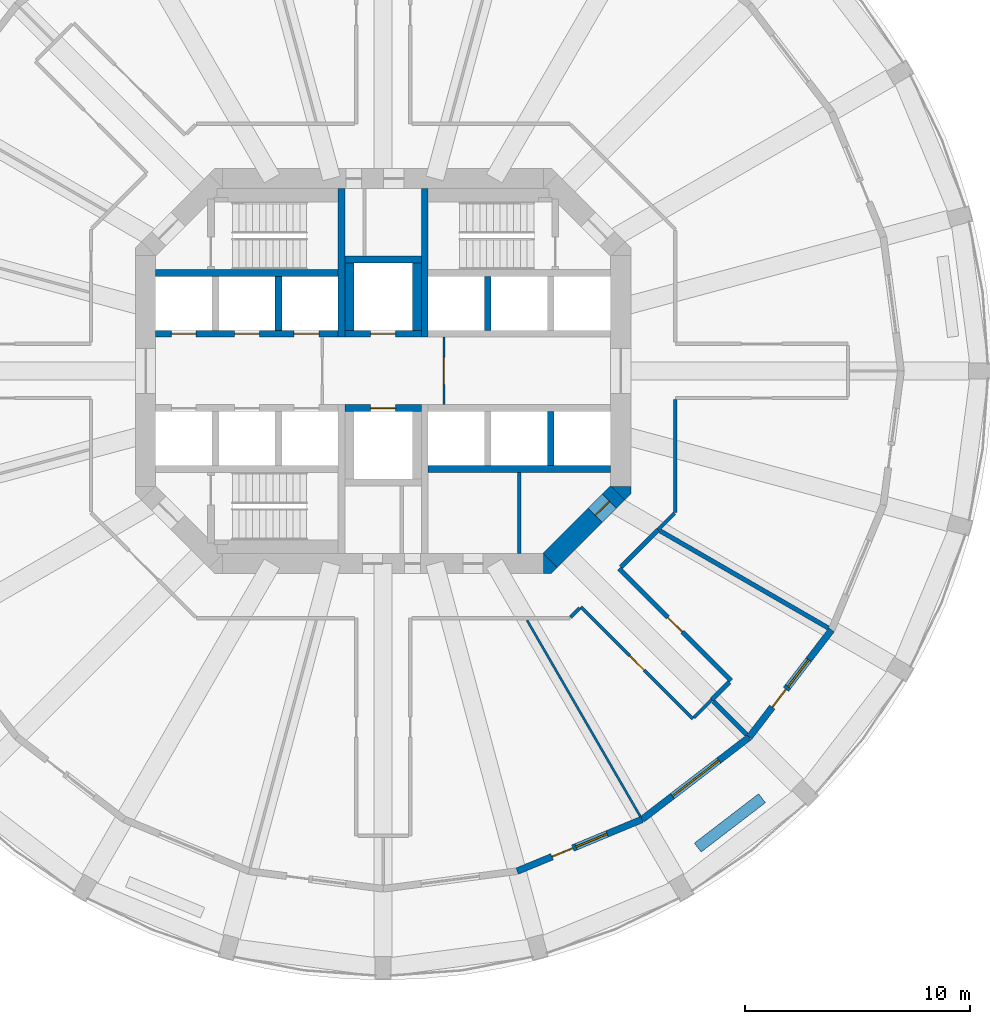
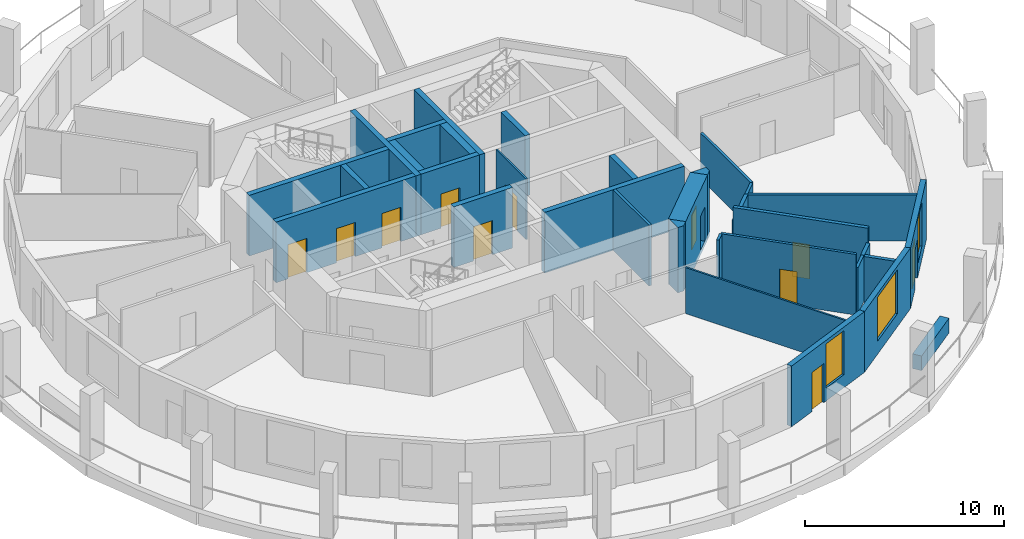
# One storey, part 4 of 9: 33 walls, 11 doors, 3 windows, 14 openings.
"""IFC4 building model written with IfcOpenShell, lengths in metres."""

from ifc_helpers import new_model, si_unit, direction, frame, frame_2d, origin, place, context, subcontext, project, spatial, polyline, rectangle, outline, extrude, material, layer, layer_set, type_object, element, fill, save


model = new_model("IFC4")

# Units and contexts
model_context = context("Model", 3, precision=1e-05, world=origin(), true_north=direction((0.0, 1.0)))
body_context = subcontext(model_context, "Body", "Model", "MODEL_VIEW")
ifc_project = project(units=[si_unit("LENGTHUNIT", "METRE"), si_unit("AREAUNIT", "SQUARE_METRE"), si_unit("VOLUMEUNIT", "CUBIC_METRE"), si_unit("PLANEANGLEUNIT", "RADIAN"), si_unit("MASSUNIT", "GRAM", prefix="KILO")], contexts=[model_context])

# Site, building, storey
site_placement = place(None, origin())
site = spatial("IfcSite", under=ifc_project, at=site_placement, CompositionType="ELEMENT")
building_placement = place(site_placement, origin())
building = spatial("IfcBuilding", under=site, at=building_placement, Name="Torre Triforio", CompositionType="ELEMENT")
storey_placement = place(building_placement, frame((0.0, 0.0, 31.0)))
storey = spatial("IfcBuildingStorey", under=building, at=storey_placement, Name="L05", CompositionType="ELEMENT", Elevation=31.0)

# Walls
ifc_material_1 = material(Name="Concrete C60", Category="concrete")
ifc_layer_1 = layer(ifc_material_1, 0.300048828125)
ifc_layer_set_1 = layer_set([ifc_layer_1], Name="Concrete C60")
wall_type_1 = type_object("IfcWallType", Name="Core wall 300 mm C60 EI 120", PredefinedType="SHEAR", material=ifc_layer_set_1)
for number, where, z_axis, x_axis, name in (
    (1, (-1.85009765625, 1.5, 0.0), (0.0, 0.0, 1.0), (0.0, 1.0, 0.0), "Core wall"),
    (2, (1.85009765625, 1.5, 0.0), (0.0, 0.0, 1.0), (0.0, 1.0, 0.0), "Core wall"),
):
    element("IfcWall", number, at=place(storey_placement, frame(where, z_axis=z_axis, x_axis=x_axis)), inside=storey, type_object=wall_type_1, Name=name, PredefinedType="SHEAR", context=body_context, shape_type="SweptSolid", body=[
        extrude(rectangle(XDim=6.60009765625, YDim=0.300048828125, at=frame_2d((3.300048828125, 0.0))), origin(), (0.0, 0.0, 1.0), 3.719970703125),
    ])

# Wall, opening, door
ifc_layer_2 = layer(ifc_material_1, 0.89990234375)
ifc_layer_set_2 = layer_set([ifc_layer_2], Name="Concrete C60")
wall_type_2 = type_object("IfcWallType", Name="Core wall 900 mm C60 EI 120", PredefinedType="SHEAR", material=ifc_layer_set_2)
wall_1_placement = place(storey_placement, frame((10.418212890625, -5.418212890625, -0.280029296875), z_axis=(0.0, 0.0, 1.0), x_axis=(-0.707106781187, -0.707106781187, 0.0)))
wall_1 = element("IfcWall", 3, at=wall_1_placement, inside=storey, type_object=wall_type_2, Name="Core wall", PredefinedType="SHEAR", context=body_context, shape_type="SweptSolid", body=[
    extrude(rectangle(XDim=4.24267578125, YDim=0.89990234375, at=frame_2d((2.121337890625, 0.0))), origin(), (0.0, 0.0, 1.0), 4.0),
])
opening_1_placement = place(wall_1_placement, frame((0.52001953125, 0.0, 0.280029296875)))
opening_1 = element("IfcOpeningElement", 4, at=opening_1_placement, cuts=wall_1, Name="Opening SE-02", PredefinedType="OPENING", context=body_context, shape_type="SweptSolid", body=[
    extrude(rectangle(XDim=0.89990234375, YDim=2.10009765625, at=frame_2d((0.449951171875, 1.050048828125))), frame((0.0, 0.4599609375, 0.0), z_axis=(0.0, -1.0, 0.0), x_axis=(1.0, 0.0, 0.0)), (0.0, 0.0, 1.0), 0.919921875),
])
ifc_material_2 = material(Name="Hollow metal fire door leaf")
door_type_1 = type_object("IfcDoorType", Name="Room door 900 x 2100 EI 60", OperationType="NOTDEFINED", PredefinedType="DOOR", material=ifc_material_2)
door_1_placement = place(opening_1_placement, origin())
door_1 = element("IfcDoor", 5, at=door_1_placement, inside=storey, type_object=door_type_1, Name="Core door SE-02", OperationType="SINGLE_SWING_RIGHT", OverallHeight=2.10009765625, OverallWidth=0.89990234375, PredefinedType="DOOR", context=body_context, shape_type="SweptSolid", body=[
    extrude(rectangle(XDim=0.89990234375, YDim=2.10009765625, at=frame_2d((0.449951171875, 1.050048828125))), frame((0.0, 0.02490234375, 0.0), z_axis=(0.0, -1.0, 0.0), x_axis=(1.0, 0.0, 0.0)), (0.0, 0.0, 1.0), 0.050048828125),
])
fill(opening_1, door_1)

# Walls
wall_2_placement = place(storey_placement, frame((0.0, 0.0, -0.280029296875)))
element("IfcWall", 6, at=wall_2_placement, inside=storey, type_object=wall_type_2, Name="Core wall", PredefinedType="SHEAR", context=body_context, shape_type="SweptSolid", body=[
    extrude(outline(polyline([(7.472900390625, -9.0), (7.1298828125, -9.0), (7.1298828125, -8.1298828125), (7.736328125, -8.736328125), (7.472900390625, -9.0)])), origin(), (0.0, 0.0, 1.0), 4.0),
])
wall_3_placement = place(storey_placement, frame((0.0, 0.0, -0.280029296875)))
element("IfcWall", 7, at=wall_3_placement, inside=storey, type_object=wall_type_2, Name="Core wall", PredefinedType="SHEAR", context=body_context, shape_type="SweptSolid", body=[
    extrude(outline(polyline([(11.0, -5.472900390625), (10.736328125, -5.736328125), (10.1298828125, -5.1298828125), (11.0, -5.1298828125), (11.0, -5.472900390625)])), origin(), (0.0, 0.0, 1.0), 4.0),
])
ifc_material_3 = material(Name="Plasterboard on metal studs")
ifc_layer_3 = layer(ifc_material_3, 0.14990234375)
ifc_layer_set_3 = layer_set([ifc_layer_3], Name="Plasterboard on metal studs")
wall_type_3 = type_object("IfcWallType", Name="Corridor and tenancy wall 150 mm EI 60", PredefinedType="PARTITIONING", material=ifc_layer_set_3)
wall_4_placement = place(storey_placement, frame((14.600830078125, -14.600830078125, 0.0), z_axis=(0.0, 0.0, 1.0), x_axis=(-0.707106781187, -0.707106781187, 0.0)))
element("IfcWall", 8, at=wall_4_placement, inside=storey, type_object=wall_type_3, Name="Partition 2", PredefinedType="PARTITIONING", context=body_context, shape_type="SweptSolid", body=[
    extrude(rectangle(XDim=1.125, YDim=0.14990234375, at=frame_2d((0.5625, 0.0))), origin(), (0.0, 0.0, 1.0), 2.820068359375),
])

# Wall, opening, door
wall_5_placement = place(storey_placement, frame((13.752197265625, -15.449462890625, 0.0), z_axis=(0.0, 0.0, 1.0), x_axis=(-0.707089406061, 0.707124155885, 0.0)))
wall_5 = element("IfcWall", 9, at=wall_5_placement, inside=storey, type_object=wall_type_3, Name="Partition 3", PredefinedType="PARTITIONING", context=body_context, shape_type="SweptSolid", body=[
    extrude(rectangle(XDim=7.025634765625, YDim=0.14990234375, at=frame_2d((3.5126953125, 0.0))), origin(), (0.0, 0.0, 1.0), 3.719970703125),
])
opening_2_placement = place(wall_5_placement, frame((3.062744140625, 0.0, 0.0)))
opening_2 = element("IfcOpeningElement", 10, at=opening_2_placement, cuts=wall_5, Name="Opening N1-12", PredefinedType="OPENING", context=body_context, shape_type="SweptSolid", body=[
    extrude(rectangle(XDim=0.89990234375, YDim=2.10009765625, at=frame_2d((0.449951171875, 1.050048828125))), frame((0.0, 0.0849609375, 0.0), z_axis=(0.0, -1.0, 0.0), x_axis=(1.0, 0.0, 0.0)), (0.0, 0.0, 1.0), 0.169921875),
])
ifc_material_4 = material(Name="Timber", Category="wood")
door_type_2 = type_object("IfcDoorType", Name="Door 900 x 2100 single leaf EI 30", OperationType="NOTDEFINED", PredefinedType="DOOR", material=ifc_material_4)
door_2_placement = place(opening_2_placement, origin())
door_2 = element("IfcDoor", 11, at=door_2_placement, inside=storey, type_object=door_type_2, Name="Door N1-12", OperationType="SINGLE_SWING_LEFT", OverallHeight=2.10009765625, OverallWidth=0.89990234375, PredefinedType="DOOR", context=body_context, shape_type="SweptSolid", body=[
    extrude(rectangle(XDim=0.89990234375, YDim=2.10009765625, at=frame_2d((0.449951171875, 1.050048828125))), frame((0.0, 0.02490234375, 0.0), z_axis=(0.0, -1.0, 0.0), x_axis=(1.0, 0.0, 0.0)), (0.0, 0.0, 1.0), 0.050048828125),
])
fill(opening_2, door_2)

# Walls
wall_6_placement = place(storey_placement, frame((8.7314453125, -10.534423828125, 0.0), z_axis=(0.0, 0.0, 1.0), x_axis=(-0.707106781187, -0.707106781187, 0.0)))
element("IfcWall", 12, at=wall_6_placement, inside=storey, type_object=wall_type_3, Name="Partition 4", PredefinedType="PARTITIONING", context=body_context, shape_type="SweptSolid", body=[
    extrude(rectangle(XDim=0.57080078125, YDim=0.14990234375, at=frame_2d((0.285400390625, 0.0))), origin(), (0.0, 0.0, 1.0), 3.719970703125),
])
wall_7_placement = place(storey_placement, frame((12.97509765625, -1.27490234375, 0.0), z_axis=(0.0, 0.0, 1.0), x_axis=(0.0, -1.0, 0.0)))
element("IfcWall", 13, at=wall_7_placement, inside=storey, type_object=wall_type_3, Name="Partition 31", PredefinedType="PARTITIONING", context=body_context, shape_type="SweptSolid", body=[
    extrude(rectangle(XDim=5.01611328125, YDim=0.14990234375, at=frame_2d((2.508056640625, 0.0))), origin(), (0.0, 0.0, 1.0), 2.820068359375),
])
wall_8_placement = place(storey_placement, frame((12.93798828125, -6.327880859375, 0.0), z_axis=(0.0, 0.0, 1.0), x_axis=(-0.707106781187, -0.707106781187, 0.0)))
element("IfcWall", 14, at=wall_8_placement, inside=storey, type_object=wall_type_3, Name="Partition 32", PredefinedType="PARTITIONING", context=body_context, shape_type="SweptSolid", body=[
    extrude(rectangle(XDim=1.023681640625, YDim=0.14990234375, at=frame_2d((0.51171875, 0.0))), origin(), (0.0, 0.0, 1.0), 2.820068359375),
])

# Wall, opening, door
ifc_material_5 = material(Name="Block and board partition")
ifc_layer_4 = layer(ifc_material_5, 0.10009765625)
ifc_layer_set_4 = layer_set([ifc_layer_4], Name="Block and board partition")
wall_type_4 = type_object("IfcWallType", Name="Partition 100 mm EI 120", PredefinedType="PARTITIONING", material=ifc_layer_set_4)
wall_9_placement = place(storey_placement, frame((2.699951171875, -1.5, 0.0), z_axis=(0.0, 0.0, 1.0), x_axis=(0.0, 1.0, 0.0)))
wall_9 = element("IfcWall", 15, at=wall_9_placement, inside=storey, type_object=wall_type_4, Name="Partition", PredefinedType="PARTITIONING", context=body_context, shape_type="SweptSolid", body=[
    extrude(rectangle(XDim=3.0, YDim=0.10009765625, at=frame_2d((1.5, 0.0))), origin(), (0.0, 0.0, 1.0), 3.719970703125),
])
opening_3_placement = place(wall_9_placement, frame((0.89990234375, 0.0, 0.0)))
opening_3 = element("IfcOpeningElement", 16, at=opening_3_placement, cuts=wall_9, Name="Opening FF-E", PredefinedType="OPENING", context=body_context, shape_type="SweptSolid", body=[
    extrude(rectangle(XDim=1.199951171875, YDim=2.10009765625, at=frame_2d((0.60009765625, 1.050048828125))), frame((0.0, 0.06005859375, 0.0), z_axis=(0.0, -1.0, 0.0), x_axis=(1.0, 0.0, 0.0)), (0.0, 0.0, 1.0), 0.1201171875),
])
door_type_3 = type_object("IfcDoorType", Name="Fire-fighting lobby door 1200 x 2100 EI 60", OperationType="NOTDEFINED", PredefinedType="DOOR", material=ifc_material_2)
door_3_placement = place(opening_3_placement, origin())
door_3 = element("IfcDoor", 17, at=door_3_placement, inside=storey, type_object=door_type_3, Name="Core door FF-E", OperationType="SINGLE_SWING_LEFT", OverallHeight=2.10009765625, OverallWidth=1.199951171875, PredefinedType="DOOR", context=body_context, shape_type="SweptSolid", body=[
    extrude(rectangle(XDim=1.199951171875, YDim=2.10009765625, at=frame_2d((0.60009765625, 1.050048828125))), frame((0.0, 0.02490234375, 0.0), z_axis=(0.0, -1.0, 0.0), x_axis=(1.0, 0.0, 0.0)), (0.0, 0.0, 1.0), 0.050048828125),
])
fill(opening_3, door_3)

# Walls
ifc_layer_5 = layer(ifc_material_3, 0.10009765625)
ifc_layer_set_5 = layer_set([ifc_layer_5], Name="Plasterboard on metal studs")
wall_type_5 = type_object("IfcWallType", Name="Partition 100 mm board on metal studs", PredefinedType="PARTITIONING", material=ifc_layer_set_5)
wall_10_placement = place(storey_placement, frame((6.393798828125, -11.07470703125, 0.0), z_axis=(0.0, 0.0, 1.0), x_axis=(0.500024592647, -0.866011204747, 0.0)))
element("IfcWall", 18, at=wall_10_placement, inside=storey, type_object=wall_type_5, Name="Partition 46", PredefinedType="PARTITIONING", context=body_context, shape_type="SweptSolid", body=[
    extrude(rectangle(XDim=10.048828125, YDim=0.10009765625, at=frame_2d((5.0244140625, 0.0))), origin(), (0.0, 0.0, 1.0), 2.820068359375),
])
ifc_layer_6 = layer(ifc_material_5, 0.14990234375)
ifc_layer_set_6 = layer_set([ifc_layer_6], Name="Block and board partition")
wall_type_6 = type_object("IfcWallType", Name="Partition 150 mm", PredefinedType="PARTITIONING", material=ifc_layer_set_6)
wall_11_placement = place(storey_placement, frame((6.050048828125, -8.10009765625, 0.0), z_axis=(0.0, 0.0, 1.0), x_axis=(0.0, 1.0, 0.0)))
element("IfcWall", 19, at=wall_11_placement, inside=storey, type_object=wall_type_6, Name="Partition", PredefinedType="PARTITIONING", context=body_context, shape_type="SweptSolid", body=[
    extrude(rectangle(XDim=3.60009765625, YDim=0.14990234375, at=frame_2d((1.800048828125, 0.0))), origin(), (0.0, 0.0, 1.0), 3.719970703125),
])
ifc_material_6 = material(Name="Masonry block", Category="masonry")
ifc_layer_7 = layer(ifc_material_6, 0.199951171875)
ifc_layer_set_7 = layer_set([ifc_layer_7], Name="Masonry block")
wall_type_7 = type_object("IfcWallType", Name="Plant room wall 200 mm block EI 120", PredefinedType="PARTITIONING", material=ifc_layer_set_7)
wall_12_placement = place(storey_placement, frame((15.378662109375, -13.822998046875, 0.0), z_axis=(0.0, 0.0, 1.0), x_axis=(-0.707106781187, -0.707106781187, 0.0)))
element("IfcWall", 20, at=wall_12_placement, inside=storey, type_object=wall_type_7, Name="Partition 1", PredefinedType="PARTITIONING", context=body_context, shape_type="SweptSolid", body=[
    extrude(rectangle(XDim=1.10009765625, YDim=0.199951171875, at=frame_2d((0.550048828125, 0.0))), origin(), (0.0, 0.0, 1.0), 2.820068359375),
])
wall_13_placement = place(storey_placement, frame((12.214111328125, -7.0517578125, 0.0), z_axis=(0.0, 0.0, 1.0), x_axis=(-0.707106781187, -0.707106781187, 0.0)))
element("IfcWall", 21, at=wall_13_placement, inside=storey, type_object=wall_type_7, Name="Partition 33", PredefinedType="PARTITIONING", context=body_context, shape_type="SweptSolid", body=[
    extrude(rectangle(XDim=2.350341796875, YDim=0.199951171875, at=frame_2d((1.17529296875, 0.0))), origin(), (0.0, 0.0, 1.0), 2.820068359375),
])

# Wall, opening, door
wall_14_placement = place(storey_placement, frame((10.4814453125, -8.784423828125, 0.0), z_axis=(0.0, 0.0, 1.0), x_axis=(0.707124155885, -0.707089406061, 0.0)))
wall_14 = element("IfcWall", 22, at=wall_14_placement, inside=storey, type_object=wall_type_7, Name="Partition 34", PredefinedType="PARTITIONING", context=body_context, shape_type="SweptSolid", body=[
    extrude(rectangle(XDim=7.025634765625, YDim=0.199951171875, at=frame_2d((3.5126953125, 0.0))), origin(), (0.0, 0.0, 1.0), 3.719970703125),
])
opening_4_placement = place(wall_14_placement, frame((3.062744140625, 0.0, 0.0)))
opening_4 = element("IfcOpeningElement", 23, at=opening_4_placement, cuts=wall_14, Name="Opening N1-13", PredefinedType="OPENING", context=body_context, shape_type="SweptSolid", body=[
    extrude(rectangle(XDim=0.89990234375, YDim=2.10009765625, at=frame_2d((0.449951171875, 1.050048828125))), frame((0.0, 0.10986328125, 0.0), z_axis=(0.0, -1.0, 0.0), x_axis=(1.0, 0.0, 0.0)), (0.0, 0.0, 1.0), 0.219970703125),
])
door_type_4 = type_object("IfcDoorType", Name="Door 900 x 2100 single leaf EI 60", OperationType="NOTDEFINED", PredefinedType="DOOR", material=ifc_material_2)
door_4_placement = place(opening_4_placement, origin())
door_4 = element("IfcDoor", 24, at=door_4_placement, inside=storey, type_object=door_type_4, Name="Door N1-13", OperationType="SINGLE_SWING_RIGHT", OverallHeight=2.10009765625, OverallWidth=0.89990234375, PredefinedType="DOOR", context=body_context, shape_type="SweptSolid", body=[
    extrude(rectangle(XDim=0.89990234375, YDim=2.10009765625, at=frame_2d((0.449951171875, 1.050048828125))), frame((0.0, 0.02490234375, 0.0), z_axis=(0.0, -1.0, 0.0), x_axis=(1.0, 0.0, 0.0)), (0.0, 0.0, 1.0), 0.050048828125),
])
fill(opening_4, door_4)

# Walls
wall_15_placement = place(storey_placement, frame((14.671630859375, -14.671630859375, 0.0), z_axis=(0.0, 0.0, 1.0), x_axis=(0.707106781187, -0.707106781187, 0.0)))
element("IfcWall", 25, at=wall_15_placement, inside=storey, type_object=wall_type_7, Name="Partition 47", PredefinedType="PARTITIONING", context=body_context, shape_type="SweptSolid", body=[
    extrude(rectangle(XDim=2.087890625, YDim=0.199951171875, at=frame_2d((1.0439453125, 0.0))), origin(), (0.0, 0.0, 1.0), 2.820068359375),
])
wall_16_placement = place(storey_placement, frame((12.304931640625, -7.104248046875, 0.0), z_axis=(0.0, 0.0, 1.0), x_axis=(0.866017835858, -0.500013107804, 0.0)))
element("IfcWall", 26, at=wall_16_placement, inside=storey, type_object=wall_type_7, Name="Partition 48", PredefinedType="PARTITIONING", context=body_context, shape_type="SweptSolid", body=[
    extrude(rectangle(XDim=8.628173828125, YDim=0.199951171875, at=frame_2d((4.31396484375, 0.0))), origin(), (0.0, 0.0, 1.0), 2.820068359375),
])
ifc_material_7 = material(Name="Limestone cladding", Category="masonry")
ifc_layer_8 = layer(ifc_material_7, 0.10009765625)
ifc_material_8 = material(Name="Concrete C40", Category="concrete")
ifc_layer_9 = layer(ifc_material_8, 0.39990234375)
ifc_layer_set_8 = layer_set([ifc_layer_8, ifc_layer_9], Name="Limestone cladding / Concrete C40")
wall_type_8 = type_object("IfcWallType", Name="Planter wall 500", PredefinedType="PARAPET", material=ifc_layer_set_8)
wall_17_placement = place(storey_placement, frame((13.9736328125, -21.16748046875, 0.0), z_axis=(0.0, 0.0, 1.0), x_axis=(0.793359599829, 0.608753271334, 0.0)))
element("IfcWall", 27, at=wall_17_placement, inside=storey, type_object=wall_type_8, Name="Planter L05 bay 21", PredefinedType="PARAPET", context=body_context, shape_type="SweptSolid", body=[
    extrude(rectangle(XDim=3.599853515625, YDim=0.5, at=frame_2d((1.7998046875, 0.0))), origin(), (0.0, 0.0, 1.0), 0.89990234375),
])
ifc_layer_10 = layer(ifc_material_1, 0.300048828125)
ifc_layer_set_9 = layer_set([ifc_layer_10], Name="Concrete C60")
wall_type_9 = type_object("IfcWallType", Name="Shaft wall 300 mm C60 EI 120", PredefinedType="SOLIDWALL", material=ifc_layer_set_9)
for number, where, z_axis, x_axis, name in (
    (28, (-10.10009765625, 4.35009765625, 0.0), (0.0, 0.0, 1.0), (1.0, 0.0, 0.0), "Shaft wall"),
    (29, (2.0, -4.35009765625, 0.0), (0.0, 0.0, 1.0), (1.0, 0.0, 0.0), "Shaft wall"),
):
    element("IfcWall", number, at=place(storey_placement, frame(where, z_axis=z_axis, x_axis=x_axis)), inside=storey, type_object=wall_type_9, Name=name, PredefinedType="SOLIDWALL", context=body_context, shape_type="SweptSolid", body=[
        extrude(rectangle(XDim=8.10009765625, YDim=0.300048828125, at=frame_2d((4.050048828125, 0.0))), origin(), (0.0, 0.0, 1.0), 3.719970703125),
    ])

# Wall, openings, doors
wall_18_placement = place(storey_placement, frame((-10.10009765625, 1.64990234375, 0.0), z_axis=(0.0, 0.0, 1.0), x_axis=(1.0, 0.0, 0.0)))
wall_18 = element("IfcWall", 30, at=wall_18_placement, inside=storey, type_object=wall_type_9, Name="Shaft wall", PredefinedType="SOLIDWALL", context=body_context, shape_type="SweptSolid", body=[
    extrude(rectangle(XDim=8.10009765625, YDim=0.300048828125, at=frame_2d((4.050048828125, 0.0))), origin(), (0.0, 0.0, 1.0), 3.719970703125),
])
opening_5_placement = place(wall_18_placement, frame((0.699951171875, 0.0, 0.0)))
opening_5 = element("IfcOpeningElement", 31, at=opening_5_placement, cuts=wall_18, Name="Opening LD", PredefinedType="OPENING", context=body_context, shape_type="SweptSolid", body=[
    extrude(rectangle(XDim=1.10009765625, YDim=2.10009765625, at=frame_2d((0.550048828125, 1.050048828125))), frame((0.0, 0.159912109375, 0.0), z_axis=(0.0, -1.0, 0.0), x_axis=(1.0, 0.0, 0.0)), (0.0, 0.0, 1.0), 0.320068359375),
])
opening_6_placement = place(wall_18_placement, frame((3.5, 0.0, 0.0)))
opening_6 = element("IfcOpeningElement", 32, at=opening_6_placement, cuts=wall_18, Name="Opening LD", PredefinedType="OPENING", context=body_context, shape_type="SweptSolid", body=[
    extrude(rectangle(XDim=1.10009765625, YDim=2.10009765625, at=frame_2d((0.550048828125, 1.050048828125))), frame((0.0, 0.159912109375, 0.0), z_axis=(0.0, -1.0, 0.0), x_axis=(1.0, 0.0, 0.0)), (0.0, 0.0, 1.0), 0.320068359375),
])
opening_7_placement = place(wall_18_placement, frame((6.14990234375, 0.0, 0.0)))
opening_7 = element("IfcOpeningElement", 33, at=opening_7_placement, cuts=wall_18, Name="Opening LD", PredefinedType="OPENING", context=body_context, shape_type="SweptSolid", body=[
    extrude(rectangle(XDim=1.10009765625, YDim=2.10009765625, at=frame_2d((0.550048828125, 1.050048828125))), frame((0.0, 0.159912109375, 0.0), z_axis=(0.0, -1.0, 0.0), x_axis=(1.0, 0.0, 0.0)), (0.0, 0.0, 1.0), 0.320068359375),
])
door_type_5 = type_object("IfcDoorType", Name="Landing door 1100 x 2100 EI 60", OperationType="DOUBLE_DOOR_SLIDING", PredefinedType="DOOR", material=ifc_material_2)
door_5_placement = place(opening_5_placement, origin())
door_5 = element("IfcDoor", 34, at=door_5_placement, inside=storey, type_object=door_type_5, Name="Landing door LR1", OperationType="DOUBLE_DOOR_SLIDING", OverallHeight=2.10009765625, OverallWidth=1.10009765625, PredefinedType="DOOR", context=body_context, shape_type="SweptSolid", body=[
    extrude(rectangle(XDim=1.10009765625, YDim=2.10009765625, at=frame_2d((0.550048828125, 1.050048828125))), frame((0.0, 0.02490234375, 0.0), z_axis=(0.0, -1.0, 0.0), x_axis=(1.0, 0.0, 0.0)), (0.0, 0.0, 1.0), 0.050048828125),
])
fill(opening_5, door_5)
door_6_placement = place(opening_6_placement, origin())
door_6 = element("IfcDoor", 35, at=door_6_placement, inside=storey, type_object=door_type_5, Name="Landing door LR2", OperationType="DOUBLE_DOOR_SLIDING", OverallHeight=2.10009765625, OverallWidth=1.10009765625, PredefinedType="DOOR", context=body_context, shape_type="SweptSolid", body=[
    extrude(rectangle(XDim=1.10009765625, YDim=2.10009765625, at=frame_2d((0.550048828125, 1.050048828125))), frame((0.0, 0.02490234375, 0.0), z_axis=(0.0, -1.0, 0.0), x_axis=(1.0, 0.0, 0.0)), (0.0, 0.0, 1.0), 0.050048828125),
])
fill(opening_6, door_6)
door_7_placement = place(opening_7_placement, origin())
door_7 = element("IfcDoor", 36, at=door_7_placement, inside=storey, type_object=door_type_5, Name="Landing door LR3", OperationType="DOUBLE_DOOR_SLIDING", OverallHeight=2.10009765625, OverallWidth=1.10009765625, PredefinedType="DOOR", context=body_context, shape_type="SweptSolid", body=[
    extrude(rectangle(XDim=1.10009765625, YDim=2.10009765625, at=frame_2d((0.550048828125, 1.050048828125))), frame((0.0, 0.02490234375, 0.0), z_axis=(0.0, -1.0, 0.0), x_axis=(1.0, 0.0, 0.0)), (0.0, 0.0, 1.0), 0.050048828125),
])
fill(opening_7, door_7)

# Walls
for number, where, z_axis, x_axis, name in (
    (37, (-4.64990234375, 1.800048828125, 0.0), (0.0, 0.0, 1.0), (0.0, 1.0, 0.0), "Shaft wall"),
    (38, (4.64990234375, 1.800048828125, 0.0), (0.0, 0.0, 1.0), (0.0, 1.0, 0.0), "Shaft wall"),
    (39, (7.449951171875, -4.199951171875, 0.0), (0.0, 0.0, 1.0), (0.0, 1.0, 0.0), "Shaft wall"),
):
    element("IfcWall", number, at=place(storey_placement, frame(where, z_axis=z_axis, x_axis=x_axis)), inside=storey, type_object=wall_type_9, Name=name, PredefinedType="SOLIDWALL", context=body_context, shape_type="SweptSolid", body=[
        extrude(rectangle(XDim=2.39990234375, YDim=0.300048828125, at=frame_2d((1.199951171875, 0.0))), origin(), (0.0, 0.0, 1.0), 3.719970703125),
    ])

# Wall, opening, door
wall_19_placement = place(storey_placement, frame((-1.699951171875, 1.64990234375, 0.0), z_axis=(0.0, 0.0, 1.0), x_axis=(1.0, 0.0, 0.0)))
wall_19 = element("IfcWall", 40, at=wall_19_placement, inside=storey, type_object=wall_type_9, Name="Shaft wall", PredefinedType="SOLIDWALL", context=body_context, shape_type="SweptSolid", body=[
    extrude(rectangle(XDim=3.39990234375, YDim=0.300048828125, at=frame_2d((1.699951171875, 0.0))), origin(), (0.0, 0.0, 1.0), 3.719970703125),
])
opening_8_placement = place(wall_19_placement, frame((1.14990234375, 0.0, 0.0)))
opening_8 = element("IfcOpeningElement", 41, at=opening_8_placement, cuts=wall_19, Name="Opening LD", PredefinedType="OPENING", context=body_context, shape_type="SweptSolid", body=[
    extrude(rectangle(XDim=1.10009765625, YDim=2.10009765625, at=frame_2d((0.550048828125, 1.050048828125))), frame((0.0, 0.159912109375, 0.0), z_axis=(0.0, -1.0, 0.0), x_axis=(1.0, 0.0, 0.0)), (0.0, 0.0, 1.0), 0.320068359375),
])
door_8_placement = place(opening_8_placement, origin())
door_8 = element("IfcDoor", 42, at=door_8_placement, inside=storey, type_object=door_type_5, Name="Landing door FFL1", OperationType="DOUBLE_DOOR_SLIDING", OverallHeight=2.10009765625, OverallWidth=1.10009765625, PredefinedType="DOOR", context=body_context, shape_type="SweptSolid", body=[
    extrude(rectangle(XDim=1.10009765625, YDim=2.10009765625, at=frame_2d((0.550048828125, 1.050048828125))), frame((0.0, 0.02490234375, 0.0), z_axis=(0.0, -1.0, 0.0), x_axis=(1.0, 0.0, 0.0)), (0.0, 0.0, 1.0), 0.050048828125),
])
fill(opening_8, door_8)

wall_20_placement = place(storey_placement, frame((-1.699951171875, -1.64990234375, 0.0), z_axis=(0.0, 0.0, 1.0), x_axis=(1.0, 0.0, 0.0)))
wall_20 = element("IfcWall", 43, at=wall_20_placement, inside=storey, type_object=wall_type_9, Name="Shaft wall", PredefinedType="SOLIDWALL", context=body_context, shape_type="SweptSolid", body=[
    extrude(rectangle(XDim=3.39990234375, YDim=0.300048828125, at=frame_2d((1.699951171875, 0.0))), origin(), (0.0, 0.0, 1.0), 3.719970703125),
])
opening_9_placement = place(wall_20_placement, frame((1.14990234375, 0.0, 0.0)))
opening_9 = element("IfcOpeningElement", 44, at=opening_9_placement, cuts=wall_20, Name="Opening LD", PredefinedType="OPENING", context=body_context, shape_type="SweptSolid", body=[
    extrude(rectangle(XDim=1.10009765625, YDim=2.10009765625, at=frame_2d((0.550048828125, 1.050048828125))), frame((0.0, 0.159912109375, 0.0), z_axis=(0.0, -1.0, 0.0), x_axis=(1.0, 0.0, 0.0)), (0.0, 0.0, 1.0), 0.320068359375),
])
door_9_placement = place(opening_9_placement, origin())
door_9 = element("IfcDoor", 45, at=door_9_placement, inside=storey, type_object=door_type_5, Name="Landing door FFL2", OperationType="DOUBLE_DOOR_SLIDING", OverallHeight=2.10009765625, OverallWidth=1.10009765625, PredefinedType="DOOR", context=body_context, shape_type="SweptSolid", body=[
    extrude(rectangle(XDim=1.10009765625, YDim=2.10009765625, at=frame_2d((0.550048828125, 1.050048828125))), frame((0.0, 0.02490234375, 0.0), z_axis=(0.0, -1.0, 0.0), x_axis=(1.0, 0.0, 0.0)), (0.0, 0.0, 1.0), 0.050048828125),
])
fill(opening_9, door_9)

# Walls
wall_21_placement = place(storey_placement, frame((-1.699951171875, 4.949951171875, 0.0), z_axis=(0.0, 0.0, 1.0), x_axis=(1.0, 0.0, 0.0)))
element("IfcWall", 46, at=wall_21_placement, inside=storey, type_object=wall_type_9, Name="Shaft wall", PredefinedType="SOLIDWALL", context=body_context, shape_type="SweptSolid", body=[
    extrude(rectangle(XDim=3.39990234375, YDim=0.300048828125, at=frame_2d((1.699951171875, 0.0))), origin(), (0.0, 0.0, 1.0), 3.719970703125),
])
ifc_layer_11 = layer(ifc_material_1, 0.39990234375)
ifc_layer_set_10 = layer_set([ifc_layer_11], Name="Concrete C60")
wall_type_10 = type_object("IfcWallType", Name="Shaft wall 400 mm C60 EI 120", PredefinedType="SOLIDWALL", material=ifc_layer_set_10)
for number, where, z_axis, x_axis, name in (
    (47, (-1.5, 1.800048828125, 0.0), (0.0, 0.0, 1.0), (0.0, 1.0, 0.0), "Shaft wall"),
    (48, (1.5, 1.800048828125, 0.0), (0.0, 0.0, 1.0), (0.0, 1.0, 0.0), "Shaft wall"),
):
    element("IfcWall", number, at=place(storey_placement, frame(where, z_axis=z_axis, x_axis=x_axis)), inside=storey, type_object=wall_type_10, Name=name, PredefinedType="SOLIDWALL", context=body_context, shape_type="SweptSolid", body=[
        extrude(rectangle(XDim=3.0, YDim=0.39990234375, at=frame_2d((1.5, 0.0))), origin(), (0.0, 0.0, 1.0), 3.719970703125),
    ])

# Wall, openings, door, window
ifc_layer_12 = layer(ifc_material_7, 0.10009765625)
ifc_layer_13 = layer(ifc_material_8, 0.199951171875)
ifc_layer_set_11 = layer_set([ifc_layer_12, ifc_layer_13], Name="Limestone cladding / Concrete C40")
wall_type_11 = type_object("IfcWallType", Name="Stone-faced composite wall 300", PredefinedType="STANDARD", material=ifc_layer_set_11)
wall_22_placement = place(storey_placement, frame((5.952880859375, -22.21630859375, 0.0), z_axis=(0.0, 0.0, 1.0), x_axis=(0.923884511653, 0.382671411433, 0.0)))
wall_22 = element("IfcWall", 49, at=wall_22_placement, inside=storey, type_object=wall_type_11, Name="External wall L05 bay 20", PredefinedType="STANDARD", context=body_context, shape_type="SweptSolid", body=[
    extrude(rectangle(XDim=6.004150390625, YDim=0.300048828125, at=frame_2d((3.001953125, 0.0))), origin(), (0.0, 0.0, 1.0), 3.719970703125),
])
opening_10_placement = place(wall_22_placement, frame((1.677001953125, 0.0, 0.0)))
opening_10 = element("IfcOpeningElement", 50, at=opening_10_placement, cuts=wall_22, Name="Opening N1-D20", PredefinedType="OPENING", context=body_context, shape_type="SweptSolid", body=[
    extrude(rectangle(XDim=1.0, YDim=2.39990234375, at=frame_2d((0.5, 1.199951171875))), frame((0.0, 0.159912109375, 0.0), z_axis=(0.0, -1.0, 0.0), x_axis=(1.0, 0.0, 0.0)), (0.0, 0.0, 1.0), 0.320068359375),
])
opening_11_placement = place(wall_22_placement, frame((2.8271484375, 0.0, 0.800048828125)))
opening_11 = element("IfcOpeningElement", 51, at=opening_11_placement, cuts=wall_22, Name="Opening N1-W20A", PredefinedType="OPENING", context=body_context, shape_type="SweptSolid", body=[
    extrude(rectangle(XDim=1.5, YDim=2.699951171875, at=frame_2d((0.75, 1.35009765625))), frame((0.0, 0.159912109375, 0.0), z_axis=(0.0, -1.0, 0.0), x_axis=(1.0, 0.0, 0.0)), (0.0, 0.0, 1.0), 0.320068359375),
])
ifc_material_9 = material(Name="Aluminium frame with clear double glazing", Category="aluminium")
door_type_6 = type_object("IfcDoorType", Name="Loggia door 1000 x 2400", OperationType="NOTDEFINED", PredefinedType="DOOR", material=ifc_material_9)
door_10_placement = place(opening_10_placement, origin())
door_10 = element("IfcDoor", 52, at=door_10_placement, inside=storey, type_object=door_type_6, Name="Loggia door L05 bay 20", OperationType="SINGLE_SWING_LEFT", OverallHeight=2.39990234375, OverallWidth=1.0, PredefinedType="DOOR", context=body_context, shape_type="SweptSolid", body=[
    extrude(rectangle(XDim=1.0, YDim=2.39990234375, at=frame_2d((0.5, 1.199951171875))), frame((0.0, 0.02490234375, 0.0), z_axis=(0.0, -1.0, 0.0), x_axis=(1.0, 0.0, 0.0)), (0.0, 0.0, 1.0), 0.050048828125),
])
fill(opening_10, door_10)
window_type_1 = type_object("IfcWindowType", Name="Side window 1500 x 2700", PartitioningType="SINGLE_PANEL", PredefinedType="WINDOW", material=ifc_material_9)
window_1_placement = place(opening_11_placement, origin())
window_1 = element("IfcWindow", 53, at=window_1_placement, inside=storey, type_object=window_type_1, Name="Side window EWN12 L05 bay 20", OverallHeight=2.699951171875, OverallWidth=1.5, PartitioningType="SINGLE_PANEL", PredefinedType="WINDOW", context=body_context, shape_type="SweptSolid", body=[
    extrude(rectangle(XDim=1.5, YDim=2.699951171875, at=frame_2d((0.75, 1.35009765625))), frame((0.0, 0.030029296875, 0.0), z_axis=(0.0, -1.0, 0.0), x_axis=(1.0, 0.0, 0.0)), (0.0, 0.0, 1.0), 0.06005859375),
])
fill(opening_11, window_1)

# Wall, opening, window
wall_23_placement = place(storey_placement, frame((11.5, -19.918701171875, 0.0), z_axis=(0.0, 0.0, 1.0), x_axis=(0.793339924758, 0.608778912074, 0.0)))
wall_23 = element("IfcWall", 54, at=wall_23_placement, inside=storey, type_object=wall_type_11, Name="External wall L05 bay 21", PredefinedType="STANDARD", context=body_context, shape_type="SweptSolid", body=[
    extrude(rectangle(XDim=6.004150390625, YDim=0.300048828125, at=frame_2d((3.001953125, 0.0))), origin(), (0.0, 0.0, 1.0), 3.719970703125),
])
opening_12_placement = place(wall_23_placement, frame((1.7021484375, 0.0, 0.800048828125)))
opening_12 = element("IfcOpeningElement", 55, at=opening_12_placement, cuts=wall_23, Name="Opening N1-W21", PredefinedType="OPENING", context=body_context, shape_type="SweptSolid", body=[
    extrude(rectangle(XDim=2.60009765625, YDim=2.699951171875, at=frame_2d((1.300048828125, 1.35009765625))), frame((0.0, 0.159912109375, 0.0), z_axis=(0.0, -1.0, 0.0), x_axis=(1.0, 0.0, 0.0)), (0.0, 0.0, 1.0), 0.320068359375),
])
window_type_2 = type_object("IfcWindowType", Name="Punched window 2600 x 2700", PartitioningType="DOUBLE_PANEL_VERTICAL", PredefinedType="WINDOW", material=ifc_material_9)
window_2_placement = place(opening_12_placement, origin())
window_2 = element("IfcWindow", 56, at=window_2_placement, inside=storey, type_object=window_type_2, Name="Window EWN2 L05 bay 21", OverallHeight=2.699951171875, OverallWidth=2.60009765625, PartitioningType="SINGLE_PANEL", PredefinedType="WINDOW", context=body_context, shape_type="SweptSolid", body=[
    extrude(rectangle(XDim=2.60009765625, YDim=2.699951171875, at=frame_2d((1.300048828125, 1.35009765625))), frame((0.0, 0.030029296875, 0.0), z_axis=(0.0, -1.0, 0.0), x_axis=(1.0, 0.0, 0.0)), (0.0, 0.0, 1.0), 0.06005859375),
])
fill(opening_12, window_2)

# Wall, openings, door, window
wall_24_placement = place(storey_placement, frame((16.263427734375, -16.263427734375, 0.0), z_axis=(0.0, 0.0, 1.0), x_axis=(0.608778912074, 0.793339924758, 0.0)))
wall_24 = element("IfcWall", 57, at=wall_24_placement, inside=storey, type_object=wall_type_11, Name="External wall L05 bay 22", PredefinedType="STANDARD", context=body_context, shape_type="SweptSolid", body=[
    extrude(rectangle(XDim=6.004150390625, YDim=0.300048828125, at=frame_2d((3.001953125, 0.0))), origin(), (0.0, 0.0, 1.0), 3.719970703125),
])
opening_13_placement = place(wall_24_placement, frame((1.677001953125, 0.0, 0.0)))
opening_13 = element("IfcOpeningElement", 58, at=opening_13_placement, cuts=wall_24, Name="Opening N1-D22", PredefinedType="OPENING", context=body_context, shape_type="SweptSolid", body=[
    extrude(rectangle(XDim=1.0, YDim=2.39990234375, at=frame_2d((0.5, 1.199951171875))), frame((0.0, 0.159912109375, 0.0), z_axis=(0.0, -1.0, 0.0), x_axis=(1.0, 0.0, 0.0)), (0.0, 0.0, 1.0), 0.320068359375),
])
opening_14_placement = place(wall_24_placement, frame((2.8271484375, 0.0, 0.800048828125)))
opening_14 = element("IfcOpeningElement", 59, at=opening_14_placement, cuts=wall_24, Name="Opening N1-W22A", PredefinedType="OPENING", context=body_context, shape_type="SweptSolid", body=[
    extrude(rectangle(XDim=1.5, YDim=2.699951171875, at=frame_2d((0.75, 1.35009765625))), frame((0.0, 0.159912109375, 0.0), z_axis=(0.0, -1.0, 0.0), x_axis=(1.0, 0.0, 0.0)), (0.0, 0.0, 1.0), 0.320068359375),
])
door_11_placement = place(opening_13_placement, origin())
door_11 = element("IfcDoor", 60, at=door_11_placement, inside=storey, type_object=door_type_6, Name="Loggia door L05 bay 22", OperationType="SINGLE_SWING_LEFT", OverallHeight=2.39990234375, OverallWidth=1.0, PredefinedType="DOOR", context=body_context, shape_type="SweptSolid", body=[
    extrude(rectangle(XDim=1.0, YDim=2.39990234375, at=frame_2d((0.5, 1.199951171875))), frame((0.0, 0.02490234375, 0.0), z_axis=(0.0, -1.0, 0.0), x_axis=(1.0, 0.0, 0.0)), (0.0, 0.0, 1.0), 0.050048828125),
])
fill(opening_13, door_11)
window_3_placement = place(opening_14_placement, origin())
window_3 = element("IfcWindow", 61, at=window_3_placement, inside=storey, type_object=window_type_1, Name="Side window EWN12 L05 bay 22", OverallHeight=2.699951171875, OverallWidth=1.5, PartitioningType="SINGLE_PANEL", PredefinedType="WINDOW", context=body_context, shape_type="SweptSolid", body=[
    extrude(rectangle(XDim=1.5, YDim=2.699951171875, at=frame_2d((0.75, 1.35009765625))), frame((0.0, 0.030029296875, 0.0), z_axis=(0.0, -1.0, 0.0), x_axis=(1.0, 0.0, 0.0)), (0.0, 0.0, 1.0), 0.06005859375),
])
fill(opening_14, window_3)

save(model, "model.ifc")
